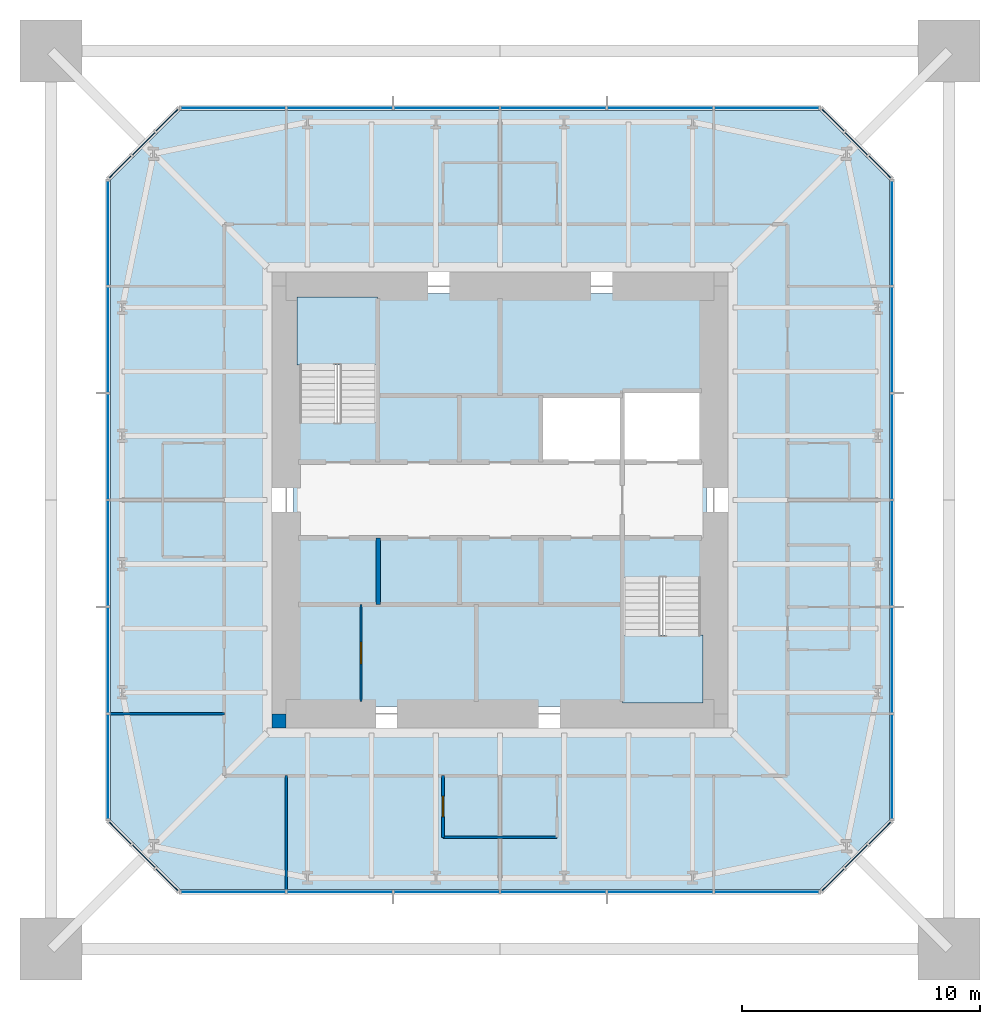
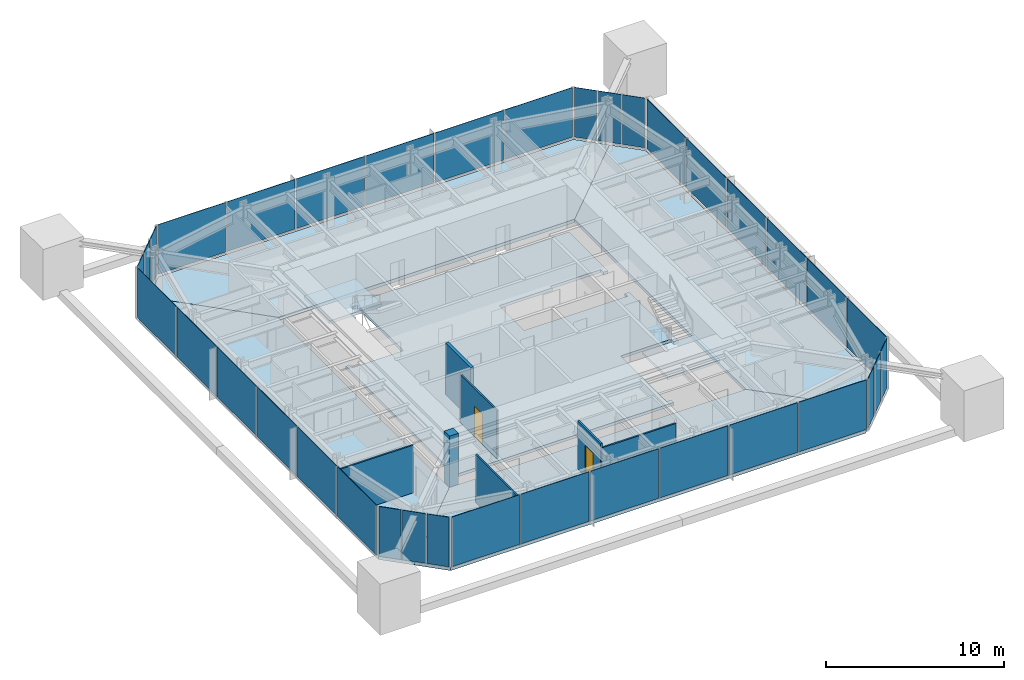
# One storey, part 6 of 10: 36 plates, 7 slabs, 7 walls, 2 doors, 2 openings, 10 elements without a shape of their own.
"""IFC4 building model written with IfcOpenShell, lengths in metres."""

from ifc_helpers import new_model, si_unit, direction, frame, frame_2d, origin, origin_2d, place, context, subcontext, project, spatial, polyline, rectangle, outline, extrude, material, layer, layer_set, constituent, constituent_set, type_object, element, fill, aggregate, save


model = new_model("IFC4")

# Units and contexts
model_context = context("Model", 3, precision=1e-05, world=origin(), true_north=direction((0.0, 1.0)))
body_context = subcontext(model_context, "Body", "Model", "MODEL_VIEW")
ifc_project = project(units=[si_unit("LENGTHUNIT", "METRE"), si_unit("AREAUNIT", "SQUARE_METRE"), si_unit("VOLUMEUNIT", "CUBIC_METRE"), si_unit("PLANEANGLEUNIT", "RADIAN"), si_unit("MASSUNIT", "GRAM", prefix="KILO")], contexts=[model_context])

# Site, building, storey
site_placement = place(None, origin())
site = spatial("IfcSite", under=ifc_project, at=site_placement, CompositionType="ELEMENT")
building_placement = place(site_placement, origin())
building = spatial("IfcBuilding", under=site, at=building_placement, Name="Iwan Alto Co-Living Towers", CompositionType="ELEMENT")
storey_placement = place(building_placement, frame((0.0, 0.0, 253.5)))
storey = spatial("IfcBuildingStorey", under=building, at=storey_placement, Name="L69", CompositionType="ELEMENT", Elevation=253.5)

# Slab
ifc_material_1 = material(Name="Concrete f'c 30 MPa", Category="concrete")
ifc_layer_1 = layer(ifc_material_1, 0.199951171875)
ifc_layer_set_1 = layer_set([ifc_layer_1], Name="CORE FLOOR SLAB 200")
slab_type_1 = type_object("IfcSlabType", Name="CORE FLOOR SLAB 200", PredefinedType="FLOOR", material=ifc_layer_set_1)
slab_1_placement = place(storey_placement, frame((0.0, 0.0, -0.199951171875)))
element("IfcSlab", 1, at=slab_1_placement, inside=storey, type_object=slab_type_1, Name="T1 core floor L69", PredefinedType="FLOOR", context=body_context, shape_type="SweptSolid", body=[
    extrude(outline(polyline([(-8.699951171875, 3.580078125), (-8.39990234375, 3.580078125), (-8.39990234375, 3.27001953125), (-5.14990234375, 3.27001953125), (-5.14990234375, 8.39990234375), (-5.4599609375, 8.39990234375), (-5.4599609375, 8.699951171875), (8.699951171875, 8.699951171875), (8.699951171875, 4.2900390625), (8.39990234375, 4.2900390625), (8.39990234375, 4.60009765625), (5.14990234375, 4.60009765625), (5.14990234375, 4.39990234375), (1.717041015625, 4.39990234375), (1.717041015625, 1.60009765625), (5.14990234375, 1.60009765625), (8.39990234375, 1.60009765625), (8.39990234375, 1.909912109375), (8.699951171875, 1.909912109375), (8.699951171875, -3.580078125), (8.39990234375, -3.580078125), (8.39990234375, -3.27001953125), (5.14990234375, -3.27001953125), (5.14990234375, -8.39990234375), (5.4599609375, -8.39990234375), (5.4599609375, -8.699951171875), (-8.699951171875, -8.699951171875), (-8.699951171875, 3.580078125)])), origin(), (0.0, 0.0, 1.0), 0.199951171875),
])

# Curtain wall, plates
ifc_material_2 = material(Name="Bronze aluminium unitised frame", Category="aluminium")
curtain_wall_type_1 = type_object("IfcCurtainWallType", Name="CURTAIN WALL CW-A", PredefinedType="NOTDEFINED", material=ifc_material_2)
curtain_wall_1_placement = place(storey_placement, origin())
curtain_wall_1 = element("IfcCurtainWall", 2, at=curtain_wall_1_placement, inside=storey, type_object=curtain_wall_type_1, Name="T1 curtain wall S L69", PredefinedType="NOTDEFINED")
ifc_material_3 = material(Name="Bronze-tinted insulating glass", Category="glass")
ifc_layer_2 = layer(ifc_material_3, 0.031982421875)
ifc_layer_set_2 = layer_set([ifc_layer_2], Name="CW-A PANEL TINTED IGU 32")
plate_type_1 = type_object("IfcPlateType", Name="CW-A PANEL TINTED IGU 32", PredefinedType="CURTAIN_PANEL", material=ifc_layer_set_2)
plate_1_placement = place(storey_placement, frame((-11.22998046875, -16.5, 0.10009765625), z_axis=(0.0, 0.0, 1.0), x_axis=(1.0, 0.0, 0.0)))
plate_1 = element("IfcPlate", 3, at=plate_1_placement, type_object=plate_type_1, Name="CW-A panel 1.1", PredefinedType="CURTAIN_PANEL", context=body_context, shape_type="SweptSolid", body=[
    extrude(rectangle(XDim=4.3798828125, YDim=0.031982421875, at=origin_2d()), origin(), (0.0, 0.0, 1.0), 3.39990234375),
])
plate_2_placement = place(storey_placement, frame((-6.75, -16.5, 0.10009765625), z_axis=(0.0, 0.0, 1.0), x_axis=(1.0, 0.0, 0.0)))
plate_2 = element("IfcPlate", 4, at=plate_2_placement, type_object=plate_type_1, Name="CW-A panel 2.1", PredefinedType="CURTAIN_PANEL", context=body_context, shape_type="SweptSolid", body=[
    extrude(rectangle(XDim=4.419921875, YDim=0.031982421875, at=origin_2d()), origin(), (0.0, 0.0, 1.0), 3.39990234375),
])
plate_3_placement = place(storey_placement, frame((-2.25, -16.5, 0.10009765625), z_axis=(0.0, 0.0, 1.0), x_axis=(1.0, 0.0, 0.0)))
plate_3 = element("IfcPlate", 5, at=plate_3_placement, type_object=plate_type_1, Name="CW-A panel 3.1", PredefinedType="CURTAIN_PANEL", context=body_context, shape_type="SweptSolid", body=[
    extrude(rectangle(XDim=4.419921875, YDim=0.031982421875, at=origin_2d()), origin(), (0.0, 0.0, 1.0), 3.39990234375),
])
plate_4_placement = place(storey_placement, frame((2.25, -16.5, 0.10009765625), z_axis=(0.0, 0.0, 1.0), x_axis=(1.0, 0.0, 0.0)))
plate_4 = element("IfcPlate", 6, at=plate_4_placement, type_object=plate_type_1, Name="CW-A panel 4.1", PredefinedType="CURTAIN_PANEL", context=body_context, shape_type="SweptSolid", body=[
    extrude(rectangle(XDim=4.419921875, YDim=0.031982421875, at=origin_2d()), origin(), (0.0, 0.0, 1.0), 3.39990234375),
])
plate_5_placement = place(storey_placement, frame((6.75, -16.5, 0.10009765625), z_axis=(0.0, 0.0, 1.0), x_axis=(1.0, 0.0, 0.0)))
plate_5 = element("IfcPlate", 7, at=plate_5_placement, type_object=plate_type_1, Name="CW-A panel 5.1", PredefinedType="CURTAIN_PANEL", context=body_context, shape_type="SweptSolid", body=[
    extrude(rectangle(XDim=4.419921875, YDim=0.031982421875, at=origin_2d()), origin(), (0.0, 0.0, 1.0), 3.39990234375),
])
plate_6_placement = place(storey_placement, frame((11.22998046875, -16.5, 0.10009765625), z_axis=(0.0, 0.0, 1.0), x_axis=(1.0, 0.0, 0.0)))
plate_6 = element("IfcPlate", 8, at=plate_6_placement, type_object=plate_type_1, Name="CW-A panel 6.1", PredefinedType="CURTAIN_PANEL", context=body_context, shape_type="SweptSolid", body=[
    extrude(rectangle(XDim=4.3798828125, YDim=0.031982421875, at=origin_2d()), origin(), (0.0, 0.0, 1.0), 3.39990234375),
])
aggregate(curtain_wall_1, [plate_1, plate_2, plate_3, plate_4, plate_5, plate_6])

curtain_wall_2_placement = place(storey_placement, origin())
curtain_wall_2 = element("IfcCurtainWall", 9, at=curtain_wall_2_placement, inside=storey, type_object=curtain_wall_type_1, Name="T1 curtain wall E L69", PredefinedType="NOTDEFINED")
plate_7_placement = place(storey_placement, frame((16.5, -11.22998046875, 0.10009765625), z_axis=(0.0, 0.0, 1.0), x_axis=(0.0, 1.0, 0.0)))
plate_7 = element("IfcPlate", 10, at=plate_7_placement, type_object=plate_type_1, Name="CW-A panel 1.1", PredefinedType="CURTAIN_PANEL", context=body_context, shape_type="SweptSolid", body=[
    extrude(rectangle(XDim=4.3798828125, YDim=0.031982421875, at=origin_2d()), origin(), (0.0, 0.0, 1.0), 3.39990234375),
])
plate_8_placement = place(storey_placement, frame((16.5, -6.75, 0.10009765625), z_axis=(0.0, 0.0, 1.0), x_axis=(0.0, 1.0, 0.0)))
plate_8 = element("IfcPlate", 11, at=plate_8_placement, type_object=plate_type_1, Name="CW-A panel 2.1", PredefinedType="CURTAIN_PANEL", context=body_context, shape_type="SweptSolid", body=[
    extrude(rectangle(XDim=4.419921875, YDim=0.031982421875, at=origin_2d()), origin(), (0.0, 0.0, 1.0), 3.39990234375),
])
plate_9_placement = place(storey_placement, frame((16.5, -2.25, 0.10009765625), z_axis=(0.0, 0.0, 1.0), x_axis=(0.0, 1.0, 0.0)))
plate_9 = element("IfcPlate", 12, at=plate_9_placement, type_object=plate_type_1, Name="CW-A panel 3.1", PredefinedType="CURTAIN_PANEL", context=body_context, shape_type="SweptSolid", body=[
    extrude(rectangle(XDim=4.419921875, YDim=0.031982421875, at=origin_2d()), origin(), (0.0, 0.0, 1.0), 3.39990234375),
])
plate_10_placement = place(storey_placement, frame((16.5, 2.25, 0.10009765625), z_axis=(0.0, 0.0, 1.0), x_axis=(0.0, 1.0, 0.0)))
plate_10 = element("IfcPlate", 13, at=plate_10_placement, type_object=plate_type_1, Name="CW-A panel 4.1", PredefinedType="CURTAIN_PANEL", context=body_context, shape_type="SweptSolid", body=[
    extrude(rectangle(XDim=4.419921875, YDim=0.031982421875, at=origin_2d()), origin(), (0.0, 0.0, 1.0), 3.39990234375),
])
plate_11_placement = place(storey_placement, frame((16.5, 6.75, 0.10009765625), z_axis=(0.0, 0.0, 1.0), x_axis=(0.0, 1.0, 0.0)))
plate_11 = element("IfcPlate", 14, at=plate_11_placement, type_object=plate_type_1, Name="CW-A panel 5.1", PredefinedType="CURTAIN_PANEL", context=body_context, shape_type="SweptSolid", body=[
    extrude(rectangle(XDim=4.419921875, YDim=0.031982421875, at=origin_2d()), origin(), (0.0, 0.0, 1.0), 3.39990234375),
])
plate_12_placement = place(storey_placement, frame((16.5, 11.22998046875, 0.10009765625), z_axis=(0.0, 0.0, 1.0), x_axis=(0.0, 1.0, 0.0)))
plate_12 = element("IfcPlate", 15, at=plate_12_placement, type_object=plate_type_1, Name="CW-A panel 6.1", PredefinedType="CURTAIN_PANEL", context=body_context, shape_type="SweptSolid", body=[
    extrude(rectangle(XDim=4.3798828125, YDim=0.031982421875, at=origin_2d()), origin(), (0.0, 0.0, 1.0), 3.39990234375),
])
aggregate(curtain_wall_2, [plate_7, plate_8, plate_9, plate_10, plate_11, plate_12])

curtain_wall_3_placement = place(storey_placement, origin())
curtain_wall_3 = element("IfcCurtainWall", 16, at=curtain_wall_3_placement, inside=storey, type_object=curtain_wall_type_1, Name="T1 curtain wall N L69", PredefinedType="NOTDEFINED")
plate_13_placement = place(storey_placement, frame((11.22998046875, 16.5, 0.10009765625), z_axis=(0.0, 0.0, 1.0), x_axis=(-1.0, 0.0, 0.0)))
plate_13 = element("IfcPlate", 17, at=plate_13_placement, type_object=plate_type_1, Name="CW-A panel 1.1", PredefinedType="CURTAIN_PANEL", context=body_context, shape_type="SweptSolid", body=[
    extrude(rectangle(XDim=4.3798828125, YDim=0.031982421875, at=origin_2d()), origin(), (0.0, 0.0, 1.0), 3.39990234375),
])
plate_14_placement = place(storey_placement, frame((6.75, 16.5, 0.10009765625), z_axis=(0.0, 0.0, 1.0), x_axis=(-1.0, 0.0, 0.0)))
plate_14 = element("IfcPlate", 18, at=plate_14_placement, type_object=plate_type_1, Name="CW-A panel 2.1", PredefinedType="CURTAIN_PANEL", context=body_context, shape_type="SweptSolid", body=[
    extrude(rectangle(XDim=4.419921875, YDim=0.031982421875, at=origin_2d()), origin(), (0.0, 0.0, 1.0), 3.39990234375),
])
plate_15_placement = place(storey_placement, frame((2.25, 16.5, 0.10009765625), z_axis=(0.0, 0.0, 1.0), x_axis=(-1.0, 0.0, 0.0)))
plate_15 = element("IfcPlate", 19, at=plate_15_placement, type_object=plate_type_1, Name="CW-A panel 3.1", PredefinedType="CURTAIN_PANEL", context=body_context, shape_type="SweptSolid", body=[
    extrude(rectangle(XDim=4.419921875, YDim=0.031982421875, at=origin_2d()), origin(), (0.0, 0.0, 1.0), 3.39990234375),
])
plate_16_placement = place(storey_placement, frame((-2.25, 16.5, 0.10009765625), z_axis=(0.0, 0.0, 1.0), x_axis=(-1.0, 0.0, 0.0)))
plate_16 = element("IfcPlate", 20, at=plate_16_placement, type_object=plate_type_1, Name="CW-A panel 4.1", PredefinedType="CURTAIN_PANEL", context=body_context, shape_type="SweptSolid", body=[
    extrude(rectangle(XDim=4.419921875, YDim=0.031982421875, at=origin_2d()), origin(), (0.0, 0.0, 1.0), 3.39990234375),
])
plate_17_placement = place(storey_placement, frame((-6.75, 16.5, 0.10009765625), z_axis=(0.0, 0.0, 1.0), x_axis=(-1.0, 0.0, 0.0)))
plate_17 = element("IfcPlate", 21, at=plate_17_placement, type_object=plate_type_1, Name="CW-A panel 5.1", PredefinedType="CURTAIN_PANEL", context=body_context, shape_type="SweptSolid", body=[
    extrude(rectangle(XDim=4.419921875, YDim=0.031982421875, at=origin_2d()), origin(), (0.0, 0.0, 1.0), 3.39990234375),
])
plate_18_placement = place(storey_placement, frame((-11.22998046875, 16.5, 0.10009765625), z_axis=(0.0, 0.0, 1.0), x_axis=(-1.0, 0.0, 0.0)))
plate_18 = element("IfcPlate", 22, at=plate_18_placement, type_object=plate_type_1, Name="CW-A panel 6.1", PredefinedType="CURTAIN_PANEL", context=body_context, shape_type="SweptSolid", body=[
    extrude(rectangle(XDim=4.3798828125, YDim=0.031982421875, at=origin_2d()), origin(), (0.0, 0.0, 1.0), 3.39990234375),
])
aggregate(curtain_wall_3, [plate_13, plate_14, plate_15, plate_16, plate_17, plate_18])

curtain_wall_4_placement = place(storey_placement, origin())
curtain_wall_4 = element("IfcCurtainWall", 23, at=curtain_wall_4_placement, inside=storey, type_object=curtain_wall_type_1, Name="T1 curtain wall W L69", PredefinedType="NOTDEFINED")
plate_19_placement = place(storey_placement, frame((-16.5, 11.22998046875, 0.10009765625), z_axis=(0.0, 0.0, 1.0), x_axis=(0.0, -1.0, 0.0)))
plate_19 = element("IfcPlate", 24, at=plate_19_placement, type_object=plate_type_1, Name="CW-A panel 1.1", PredefinedType="CURTAIN_PANEL", context=body_context, shape_type="SweptSolid", body=[
    extrude(rectangle(XDim=4.3798828125, YDim=0.031982421875, at=origin_2d()), origin(), (0.0, 0.0, 1.0), 3.39990234375),
])
plate_20_placement = place(storey_placement, frame((-16.5, 6.75, 0.10009765625), z_axis=(0.0, 0.0, 1.0), x_axis=(0.0, -1.0, 0.0)))
plate_20 = element("IfcPlate", 25, at=plate_20_placement, type_object=plate_type_1, Name="CW-A panel 2.1", PredefinedType="CURTAIN_PANEL", context=body_context, shape_type="SweptSolid", body=[
    extrude(rectangle(XDim=4.419921875, YDim=0.031982421875, at=origin_2d()), origin(), (0.0, 0.0, 1.0), 3.39990234375),
])
plate_21_placement = place(storey_placement, frame((-16.5, 2.25, 0.10009765625), z_axis=(0.0, 0.0, 1.0), x_axis=(0.0, -1.0, 0.0)))
plate_21 = element("IfcPlate", 26, at=plate_21_placement, type_object=plate_type_1, Name="CW-A panel 3.1", PredefinedType="CURTAIN_PANEL", context=body_context, shape_type="SweptSolid", body=[
    extrude(rectangle(XDim=4.419921875, YDim=0.031982421875, at=origin_2d()), origin(), (0.0, 0.0, 1.0), 3.39990234375),
])
plate_22_placement = place(storey_placement, frame((-16.5, -2.25, 0.10009765625), z_axis=(0.0, 0.0, 1.0), x_axis=(0.0, -1.0, 0.0)))
plate_22 = element("IfcPlate", 27, at=plate_22_placement, type_object=plate_type_1, Name="CW-A panel 4.1", PredefinedType="CURTAIN_PANEL", context=body_context, shape_type="SweptSolid", body=[
    extrude(rectangle(XDim=4.419921875, YDim=0.031982421875, at=origin_2d()), origin(), (0.0, 0.0, 1.0), 3.39990234375),
])
plate_23_placement = place(storey_placement, frame((-16.5, -6.75, 0.10009765625), z_axis=(0.0, 0.0, 1.0), x_axis=(0.0, -1.0, 0.0)))
plate_23 = element("IfcPlate", 28, at=plate_23_placement, type_object=plate_type_1, Name="CW-A panel 5.1", PredefinedType="CURTAIN_PANEL", context=body_context, shape_type="SweptSolid", body=[
    extrude(rectangle(XDim=4.419921875, YDim=0.031982421875, at=origin_2d()), origin(), (0.0, 0.0, 1.0), 3.39990234375),
])
plate_24_placement = place(storey_placement, frame((-16.5, -11.22998046875, 0.10009765625), z_axis=(0.0, 0.0, 1.0), x_axis=(0.0, -1.0, 0.0)))
plate_24 = element("IfcPlate", 29, at=plate_24_placement, type_object=plate_type_1, Name="CW-A panel 6.1", PredefinedType="CURTAIN_PANEL", context=body_context, shape_type="SweptSolid", body=[
    extrude(rectangle(XDim=4.3798828125, YDim=0.031982421875, at=origin_2d()), origin(), (0.0, 0.0, 1.0), 3.39990234375),
])
aggregate(curtain_wall_4, [plate_19, plate_20, plate_21, plate_22, plate_23, plate_24])

ifc_material_4 = material(Name="Bronze aluminium unitised frame", Category="aluminium")
curtain_wall_type_2 = type_object("IfcCurtainWallType", Name="CURTAIN WALL CW-B", PredefinedType="NOTDEFINED", material=ifc_material_4)
curtain_wall_5_placement = place(storey_placement, origin())
curtain_wall_5 = element("IfcCurtainWall", 30, at=curtain_wall_5_placement, inside=storey, type_object=curtain_wall_type_2, Name="T1 chamfer curtain wall SE L69", PredefinedType="NOTDEFINED")
ifc_material_5 = material(Name="Bronze-tinted insulating glass", Category="glass")
ifc_layer_3 = layer(ifc_material_5, 0.031982421875)
ifc_layer_set_3 = layer_set([ifc_layer_3], Name="CW-B PANEL TINTED IGU 32")
plate_type_2 = type_object("IfcPlateType", Name="CW-B PANEL TINTED IGU 32", PredefinedType="CURTAIN_PANEL", material=ifc_layer_set_3)
plate_25_placement = place(storey_placement, frame((14.01416015625, -15.98583984375, 0.10009765625), z_axis=(0.0, 0.0, 1.0), x_axis=(0.707106781187, 0.707106781187, 0.0)))
plate_25 = element("IfcPlate", 31, at=plate_25_placement, type_object=plate_type_2, Name="CW-B panel 1.1", PredefinedType="CURTAIN_PANEL", context=body_context, shape_type="SweptSolid", body=[
    extrude(rectangle(XDim=1.294189453125, YDim=0.031982421875, at=origin_2d()), origin(), (0.0, 0.0, 1.0), 3.39990234375),
])
plate_26_placement = place(storey_placement, frame((15.0, -15.0, 0.10009765625), z_axis=(0.0, 0.0, 1.0), x_axis=(0.707106781187, 0.707106781187, 0.0)))
plate_26 = element("IfcPlate", 32, at=plate_26_placement, type_object=plate_type_2, Name="CW-B panel 2.1", PredefinedType="CURTAIN_PANEL", context=body_context, shape_type="SweptSolid", body=[
    extrude(rectangle(XDim=1.334228515625, YDim=0.031982421875, at=origin_2d()), origin(), (0.0, 0.0, 1.0), 3.39990234375),
])
plate_27_placement = place(storey_placement, frame((15.98583984375, -14.01416015625, 0.10009765625), z_axis=(0.0, 0.0, 1.0), x_axis=(0.707106781187, 0.707106781187, 0.0)))
plate_27 = element("IfcPlate", 33, at=plate_27_placement, type_object=plate_type_2, Name="CW-B panel 3.1", PredefinedType="CURTAIN_PANEL", context=body_context, shape_type="SweptSolid", body=[
    extrude(rectangle(XDim=1.294189453125, YDim=0.031982421875, at=origin_2d()), origin(), (0.0, 0.0, 1.0), 3.39990234375),
])
aggregate(curtain_wall_5, [plate_25, plate_26, plate_27])

curtain_wall_6_placement = place(storey_placement, origin())
curtain_wall_6 = element("IfcCurtainWall", 34, at=curtain_wall_6_placement, inside=storey, type_object=curtain_wall_type_2, Name="T1 chamfer curtain wall NE L69", PredefinedType="NOTDEFINED")
plate_28_placement = place(storey_placement, frame((15.98583984375, 14.01416015625, 0.10009765625), z_axis=(0.0, 0.0, 1.0), x_axis=(-0.707106781187, 0.707106781187, 0.0)))
plate_28 = element("IfcPlate", 35, at=plate_28_placement, type_object=plate_type_2, Name="CW-B panel 1.1", PredefinedType="CURTAIN_PANEL", context=body_context, shape_type="SweptSolid", body=[
    extrude(rectangle(XDim=1.294189453125, YDim=0.031982421875, at=origin_2d()), origin(), (0.0, 0.0, 1.0), 3.39990234375),
])
plate_29_placement = place(storey_placement, frame((15.0, 15.0, 0.10009765625), z_axis=(0.0, 0.0, 1.0), x_axis=(-0.707106781187, 0.707106781187, 0.0)))
plate_29 = element("IfcPlate", 36, at=plate_29_placement, type_object=plate_type_2, Name="CW-B panel 2.1", PredefinedType="CURTAIN_PANEL", context=body_context, shape_type="SweptSolid", body=[
    extrude(rectangle(XDim=1.334228515625, YDim=0.031982421875, at=origin_2d()), origin(), (0.0, 0.0, 1.0), 3.39990234375),
])
plate_30_placement = place(storey_placement, frame((14.01416015625, 15.98583984375, 0.10009765625), z_axis=(0.0, 0.0, 1.0), x_axis=(-0.707106781187, 0.707106781187, 0.0)))
plate_30 = element("IfcPlate", 37, at=plate_30_placement, type_object=plate_type_2, Name="CW-B panel 3.1", PredefinedType="CURTAIN_PANEL", context=body_context, shape_type="SweptSolid", body=[
    extrude(rectangle(XDim=1.294189453125, YDim=0.031982421875, at=origin_2d()), origin(), (0.0, 0.0, 1.0), 3.39990234375),
])
aggregate(curtain_wall_6, [plate_28, plate_29, plate_30])

curtain_wall_7_placement = place(storey_placement, origin())
curtain_wall_7 = element("IfcCurtainWall", 38, at=curtain_wall_7_placement, inside=storey, type_object=curtain_wall_type_2, Name="T1 chamfer curtain wall NW L69", PredefinedType="NOTDEFINED")
plate_31_placement = place(storey_placement, frame((-14.01416015625, 15.98583984375, 0.10009765625), z_axis=(0.0, 0.0, 1.0), x_axis=(-0.707106781187, -0.707106781187, 0.0)))
plate_31 = element("IfcPlate", 39, at=plate_31_placement, type_object=plate_type_2, Name="CW-B panel 1.1", PredefinedType="CURTAIN_PANEL", context=body_context, shape_type="SweptSolid", body=[
    extrude(rectangle(XDim=1.294189453125, YDim=0.031982421875, at=origin_2d()), origin(), (0.0, 0.0, 1.0), 3.39990234375),
])
plate_32_placement = place(storey_placement, frame((-15.0, 15.0, 0.10009765625), z_axis=(0.0, 0.0, 1.0), x_axis=(-0.707106781187, -0.707106781187, 0.0)))
plate_32 = element("IfcPlate", 40, at=plate_32_placement, type_object=plate_type_2, Name="CW-B panel 2.1", PredefinedType="CURTAIN_PANEL", context=body_context, shape_type="SweptSolid", body=[
    extrude(rectangle(XDim=1.334228515625, YDim=0.031982421875, at=origin_2d()), origin(), (0.0, 0.0, 1.0), 3.39990234375),
])
plate_33_placement = place(storey_placement, frame((-15.98583984375, 14.01416015625, 0.10009765625), z_axis=(0.0, 0.0, 1.0), x_axis=(-0.707106781187, -0.707106781187, 0.0)))
plate_33 = element("IfcPlate", 41, at=plate_33_placement, type_object=plate_type_2, Name="CW-B panel 3.1", PredefinedType="CURTAIN_PANEL", context=body_context, shape_type="SweptSolid", body=[
    extrude(rectangle(XDim=1.294189453125, YDim=0.031982421875, at=origin_2d()), origin(), (0.0, 0.0, 1.0), 3.39990234375),
])
aggregate(curtain_wall_7, [plate_31, plate_32, plate_33])

curtain_wall_8_placement = place(storey_placement, origin())
curtain_wall_8 = element("IfcCurtainWall", 42, at=curtain_wall_8_placement, inside=storey, type_object=curtain_wall_type_2, Name="T1 chamfer curtain wall SW L69", PredefinedType="NOTDEFINED")
plate_34_placement = place(storey_placement, frame((-15.98583984375, -14.01416015625, 0.10009765625), z_axis=(0.0, 0.0, 1.0), x_axis=(0.707106781187, -0.707106781187, 0.0)))
plate_34 = element("IfcPlate", 43, at=plate_34_placement, type_object=plate_type_2, Name="CW-B panel 1.1", PredefinedType="CURTAIN_PANEL", context=body_context, shape_type="SweptSolid", body=[
    extrude(rectangle(XDim=1.294189453125, YDim=0.031982421875, at=origin_2d()), origin(), (0.0, 0.0, 1.0), 3.39990234375),
])
plate_35_placement = place(storey_placement, frame((-15.0, -15.0, 0.10009765625), z_axis=(0.0, 0.0, 1.0), x_axis=(0.707106781187, -0.707106781187, 0.0)))
plate_35 = element("IfcPlate", 44, at=plate_35_placement, type_object=plate_type_2, Name="CW-B panel 2.1", PredefinedType="CURTAIN_PANEL", context=body_context, shape_type="SweptSolid", body=[
    extrude(rectangle(XDim=1.334228515625, YDim=0.031982421875, at=origin_2d()), origin(), (0.0, 0.0, 1.0), 3.39990234375),
])
plate_36_placement = place(storey_placement, frame((-14.01416015625, -15.98583984375, 0.10009765625), z_axis=(0.0, 0.0, 1.0), x_axis=(0.707106781187, -0.707106781187, 0.0)))
plate_36 = element("IfcPlate", 45, at=plate_36_placement, type_object=plate_type_2, Name="CW-B panel 3.1", PredefinedType="CURTAIN_PANEL", context=body_context, shape_type="SweptSolid", body=[
    extrude(rectangle(XDim=1.294189453125, YDim=0.031982421875, at=origin_2d()), origin(), (0.0, 0.0, 1.0), 3.39990234375),
])
aggregate(curtain_wall_8, [plate_34, plate_35, plate_36])

# Stair, slab
ifc_material_6 = material(Name="Steel ASTM A36", Category="steel")
ifc_constituent_1 = constituent(ifc_material_6, Name="Stringers", Category="LoadBearing")
ifc_material_7 = material(Name="Concrete f'c 30 MPa", Category="concrete")
ifc_constituent_2 = constituent(ifc_material_7, Name="Tread fill", Category="Finish")
ifc_constituent_set = constituent_set(constituents=[ifc_constituent_1, ifc_constituent_2], Name="STAIR 3500 TWO-FLIGHT T1 CORE")
stair_type = type_object("IfcStairType", Name="STAIR 3500 TWO-FLIGHT T1 CORE", PredefinedType="HALF_TURN_STAIR", material=ifc_constituent_set)
stair_1_placement = place(storey_placement, origin())
stair_1 = element("IfcStair", 46, at=stair_1_placement, inside=storey, type_object=stair_type, Name="Stair T1-S1 L69 to L70", PredefinedType="HALF_TURN_STAIR")
ifc_material_8 = material(Name="Concrete f'c 30 MPa", Category="concrete")
ifc_layer_4 = layer(ifc_material_8, 0.199951171875)
ifc_layer_set_4 = layer_set([ifc_layer_4], Name="STAIR LANDING 200")
slab_type_2 = type_object("IfcSlabType", Name="STAIR LANDING 200", PredefinedType="LANDING", material=ifc_layer_set_4)
slab_2_placement = place(storey_placement, frame((0.0, 0.0, 1.550048828125)))
slab_2 = element("IfcSlab", 47, at=slab_2_placement, type_object=slab_type_2, Name="T1-S1 landing 1", PredefinedType="LANDING", context=body_context, shape_type="SweptSolid", body=[
    extrude(outline(polyline([(-8.550048828125, 5.68994140625), (-8.550048828125, 8.550048828125), (-5.14990234375, 8.550048828125), (-5.14990234375, 5.68994140625), (-8.550048828125, 5.68994140625)])), origin(), (0.0, 0.0, 1.0), 0.199951171875),
])
aggregate(stair_1, [slab_2])

stair_2_placement = place(storey_placement, origin())
stair_2 = element("IfcStair", 48, at=stair_2_placement, inside=storey, type_object=stair_type, Name="Stair T1-S2 L69 to L70", PredefinedType="HALF_TURN_STAIR")
slab_3_placement = place(storey_placement, frame((0.0, 0.0, 1.550048828125)))
slab_3 = element("IfcSlab", 49, at=slab_3_placement, type_object=slab_type_2, Name="T1-S2 landing 1", PredefinedType="LANDING", context=body_context, shape_type="SweptSolid", body=[
    extrude(outline(polyline([(5.14990234375, -5.68994140625), (5.14990234375, -8.550048828125), (8.550048828125, -8.550048828125), (8.550048828125, -5.68994140625), (5.14990234375, -5.68994140625)])), origin(), (0.0, 0.0, 1.0), 0.199951171875),
])
aggregate(stair_2, [slab_3])

# Slabs
ifc_material_9 = material(Name="Concrete f'c 30 MPa", Category="concrete")
ifc_layer_5 = layer(ifc_material_9, 0.22998046875)
ifc_layer_set_5 = layer_set([ifc_layer_5], Name="T1 FLOOR SLAB 230")
slab_type_3 = type_object("IfcSlabType", Name="T1 FLOOR SLAB 230", PredefinedType="FLOOR", material=ifc_layer_set_5)
slab_4_placement = place(storey_placement, frame((0.0, 0.0, -0.22998046875)))
element("IfcSlab", 50, at=slab_4_placement, inside=storey, type_object=slab_type_3, Name="T1 floor slab L69 S pour", PredefinedType="FLOOR", context=body_context, shape_type="SweptSolid", body=[
    extrude(outline(polyline([(13.44140625, -16.39990234375), (-13.44140625, -16.39990234375), (-14.920654296875, -14.920654296875), (-9.60009765625, -9.60009765625), (9.60009765625, -9.60009765625), (14.920654296875, -14.920654296875), (13.44140625, -16.39990234375)])), origin(), (0.0, 0.0, 1.0), 0.22998046875),
])
slab_5_placement = place(storey_placement, frame((0.0, 0.0, -0.22998046875)))
element("IfcSlab", 51, at=slab_5_placement, inside=storey, type_object=slab_type_3, Name="T1 floor slab L69 E pour", PredefinedType="FLOOR", context=body_context, shape_type="SweptSolid", body=[
    extrude(outline(polyline([(16.39990234375, 13.44140625), (16.39990234375, -13.44140625), (14.920654296875, -14.920654296875), (9.60009765625, -9.60009765625), (9.60009765625, 9.60009765625), (14.920654296875, 14.920654296875), (16.39990234375, 13.44140625)])), origin(), (0.0, 0.0, 1.0), 0.22998046875),
])
slab_6_placement = place(storey_placement, frame((0.0, 0.0, -0.22998046875)))
element("IfcSlab", 52, at=slab_6_placement, inside=storey, type_object=slab_type_3, Name="T1 floor slab L69 N pour", PredefinedType="FLOOR", context=body_context, shape_type="SweptSolid", body=[
    extrude(outline(polyline([(-13.44140625, 16.39990234375), (13.44140625, 16.39990234375), (14.920654296875, 14.920654296875), (9.60009765625, 9.60009765625), (-9.60009765625, 9.60009765625), (-14.920654296875, 14.920654296875), (-13.44140625, 16.39990234375)])), origin(), (0.0, 0.0, 1.0), 0.22998046875),
])
slab_7_placement = place(storey_placement, frame((0.0, 0.0, -0.22998046875)))
element("IfcSlab", 53, at=slab_7_placement, inside=storey, type_object=slab_type_3, Name="T1 floor slab L69 W pour", PredefinedType="FLOOR", context=body_context, shape_type="SweptSolid", body=[
    extrude(outline(polyline([(-16.39990234375, 13.44140625), (-14.920654296875, 14.920654296875), (-9.60009765625, 9.60009765625), (-9.60009765625, -9.60009765625), (-14.920654296875, -14.920654296875), (-16.39990234375, -13.44140625), (-16.39990234375, 13.44140625)])), origin(), (0.0, 0.0, 1.0), 0.22998046875),
])

# Walls
ifc_material_10 = material(Name="Gypsum board")
ifc_layer_6 = layer(ifc_material_10, 0.012451171875, Name="Board", Category="Finish")
ifc_material_11 = material(Name="Steel ASTM A1003 ST33H cold-formed studs", Category="steel")
ifc_layer_7 = layer(ifc_material_11, 0.074951171875, Name="Studs", Category="Framing")
ifc_layer_8 = layer(ifc_material_10, 0.012451171875, Name="Board", Category="Finish")
ifc_layer_set_6 = layer_set([ifc_layer_6, ifc_layer_7, ifc_layer_8], Name="PARTITION 100")
wall_type_1 = type_object("IfcWallType", Name="PARTITION 100", PredefinedType="PARTITIONING", material=ifc_layer_set_6)
wall_1_placement = place(storey_placement, frame((-2.39990234375, -14.199951171875, 0.0), z_axis=(0.0, 0.0, 1.0), x_axis=(1.0, 0.0, 0.0)))
element("IfcWall", 54, at=wall_1_placement, inside=storey, type_object=wall_type_1, Name="Partition L69", PredefinedType="PARTITIONING", context=body_context, shape_type="SweptSolid", body=[
    extrude(rectangle(XDim=4.7998046875, YDim=0.10009765625, at=frame_2d((2.39990234375, 0.0))), origin(), (0.0, 0.0, 1.0), 3.0),
])
wall_2_placement = place(storey_placement, frame((-16.43994140625, -9.0, 0.0), z_axis=(0.0, 0.0, 1.0), x_axis=(1.0, 0.0, 0.0)))
element("IfcWall", 55, at=wall_2_placement, inside=storey, type_object=wall_type_1, Name="Partition L69", PredefinedType="PARTITIONING", context=body_context, shape_type="SweptSolid", body=[
    extrude(rectangle(XDim=4.83984375, YDim=0.10009765625, at=frame_2d((2.419921875, 0.0))), origin(), (0.0, 0.0, 1.0), 3.27001953125),
])

# Wall, opening, door
wall_3_placement = place(storey_placement, frame((-5.85009765625, -8.489990234375, 0.0), z_axis=(0.0, 0.0, 1.0), x_axis=(0.0, 1.0, 0.0)))
wall_3 = element("IfcWall", 56, at=wall_3_placement, inside=storey, type_object=wall_type_1, Name="Partition L69", PredefinedType="PARTITIONING", context=body_context, shape_type="SweptSolid", body=[
    extrude(rectangle(XDim=4.090087890625, YDim=0.10009765625, at=frame_2d((2.044921875, 0.0))), origin(), (0.0, 0.0, 1.0), 3.300048828125),
])
opening_1_placement = place(wall_3_placement, frame((1.594970703125, 0.0, 0.0)))
opening_1 = element("IfcOpeningElement", 57, at=opening_1_placement, cuts=wall_3, Name="Opening D16", PredefinedType="OPENING", context=body_context, shape_type="SweptSolid", body=[
    extrude(rectangle(XDim=0.89990234375, YDim=2.10009765625, at=frame_2d((0.449951171875, 1.050048828125))), frame((0.0, 0.06005859375, 0.0), z_axis=(0.0, -1.0, 0.0), x_axis=(1.0, 0.0, 0.0)), (0.0, 0.0, 1.0), 0.1201171875),
])
ifc_material_12 = material(Name="Timber leaf in steel frame", Category="steel")
door_type_1 = type_object("IfcDoorType", Name="CUPBOARD SLIDING DOOR 900X2100", OperationType="SLIDING_TO_LEFT", PredefinedType="DOOR", material=ifc_material_12)
door_1_placement = place(opening_1_placement, origin())
door_1 = element("IfcDoor", 58, at=door_1_placement, inside=storey, type_object=door_type_1, Name="Bin store door L69", OperationType="SLIDING_TO_LEFT", OverallHeight=2.10009765625, OverallWidth=0.89990234375, PredefinedType="DOOR", context=body_context, shape_type="SweptSolid", body=[
    extrude(rectangle(XDim=0.89990234375, YDim=2.10009765625, at=frame_2d((0.449951171875, 1.050048828125))), frame((0.0, 0.02490234375, 0.0), z_axis=(0.0, -1.0, 0.0), x_axis=(1.0, 0.0, 0.0)), (0.0, 0.0, 1.0), 0.050048828125),
])
fill(opening_1, door_1)

# Walls
wall_4_placement = place(storey_placement, frame((-9.0, -16.43994140625, 0.0), z_axis=(0.0, 0.0, 1.0), x_axis=(0.0, 1.0, 0.0)))
element("IfcWall", 59, at=wall_4_placement, inside=storey, type_object=wall_type_1, Name="Partition L69", PredefinedType="PARTITIONING", context=body_context, shape_type="SweptSolid", body=[
    extrude(rectangle(XDim=4.83984375, YDim=0.10009765625, at=frame_2d((2.419921875, 0.0))), origin(), (0.0, 0.0, 1.0), 3.27001953125),
])
ifc_material_13 = material(Name="Concrete f'c 70 MPa", Category="concrete")
ifc_layer_9 = layer(ifc_material_13, 0.199951171875)
ifc_layer_set_7 = layer_set([ifc_layer_9], Name="SHAFT WALL 200")
wall_type_2 = type_object("IfcWallType", Name="SHAFT WALL 200", PredefinedType="SOLIDWALL", material=ifc_layer_set_7)
wall_5_placement = place(storey_placement, frame((-5.125, -4.39990234375, 0.0), z_axis=(0.0, 0.0, 1.0), x_axis=(0.0, 1.0, 0.0)))
element("IfcWall", 60, at=wall_5_placement, inside=storey, type_object=wall_type_2, Name="Shaft wall L69", PredefinedType="SOLIDWALL", context=body_context, shape_type="SweptSolid", body=[
    extrude(rectangle(XDim=2.7998046875, YDim=0.199951171875, at=frame_2d((1.39990234375, 0.0))), origin(), (0.0, 0.0, 1.0), 3.5),
])
ifc_material_14 = material(Name="Concrete f'c 70 MPa", Category="concrete")
ifc_layer_10 = layer(ifc_material_14, 0.60009765625)
ifc_layer_set_8 = layer_set([ifc_layer_10], Name="T1 CORE CORNER FILL 600")
wall_type_3 = type_object("IfcWallType", Name="T1 CORE CORNER FILL 600", PredefinedType="SOLIDWALL", material=ifc_layer_set_8)
wall_6_placement = place(storey_placement, frame((-9.60009765625, -9.300048828125, 0.0), z_axis=(0.0, 0.0, 1.0), x_axis=(1.0, 0.0, 0.0)))
element("IfcWall", 61, at=wall_6_placement, inside=storey, type_object=wall_type_3, Name="T1 core corner SW L69", PredefinedType="SOLIDWALL", context=body_context, shape_type="SweptSolid", body=[
    extrude(rectangle(XDim=0.60009765625, YDim=0.60009765625, at=frame_2d((0.300048828125, 0.0))), origin(), (0.0, 0.0, 1.0), 3.5),
])

# Wall, opening, door
ifc_material_15 = material(Name="Cement board")
ifc_layer_11 = layer(ifc_material_15, 0.012451171875, Name="Board", Category="Finish")
ifc_layer_12 = layer(ifc_material_11, 0.094970703125, Name="Studs", Category="Framing")
ifc_layer_13 = layer(ifc_material_15, 0.012451171875, Name="Board", Category="Finish")
ifc_layer_set_9 = layer_set([ifc_layer_11, ifc_layer_12, ifc_layer_13], Name="WET AREA PARTITION 120")
wall_type_4 = type_object("IfcWallType", Name="WET AREA PARTITION 120", PredefinedType="PARTITIONING", material=ifc_layer_set_9)
wall_7_placement = place(storey_placement, frame((-2.39990234375, -14.199951171875, 0.0), z_axis=(0.0, 0.0, 1.0), x_axis=(0.0, 1.0, 0.0)))
wall_7 = element("IfcWall", 62, at=wall_7_placement, inside=storey, type_object=wall_type_4, Name="Partition L69", PredefinedType="PARTITIONING", context=body_context, shape_type="SweptSolid", body=[
    extrude(rectangle(XDim=2.599853515625, YDim=0.1201171875, at=frame_2d((1.2998046875, 0.0))), origin(), (0.0, 0.0, 1.0), 3.27001953125),
])
opening_2_placement = place(wall_7_placement, frame((0.875, 0.0, 0.0)))
opening_2 = element("IfcOpeningElement", 63, at=opening_2_placement, cuts=wall_7, Name="Opening D2", PredefinedType="OPENING", context=body_context, shape_type="SweptSolid", body=[
    extrude(rectangle(XDim=0.85009765625, YDim=2.10009765625, at=frame_2d((0.425048828125, 1.050048828125))), frame((0.0, 0.070068359375, 0.0), z_axis=(0.0, -1.0, 0.0), x_axis=(1.0, 0.0, 0.0)), (0.0, 0.0, 1.0), 0.14013671875),
])
ifc_material_16 = material(Name="Timber leaf in steel frame", Category="steel")
door_type_2 = type_object("IfcDoorType", Name="ROOM DOOR 850X2100", OperationType="SINGLE_SWING_LEFT", PredefinedType="DOOR", material=ifc_material_16)
door_2_placement = place(opening_2_placement, origin())
door_2 = element("IfcDoor", 64, at=door_2_placement, inside=storey, type_object=door_type_2, Name="En-suite shower room door L69", OperationType="SINGLE_SWING_RIGHT", OverallHeight=2.10009765625, OverallWidth=0.85009765625, PredefinedType="DOOR", context=body_context, shape_type="SweptSolid", body=[
    extrude(rectangle(XDim=0.85009765625, YDim=2.10009765625, at=frame_2d((0.425048828125, 1.050048828125))), frame((0.0, 0.02490234375, 0.0), z_axis=(0.0, -1.0, 0.0), x_axis=(1.0, 0.0, 0.0)), (0.0, 0.0, 1.0), 0.050048828125),
])
fill(opening_2, door_2)

save(model, "model.ifc")
